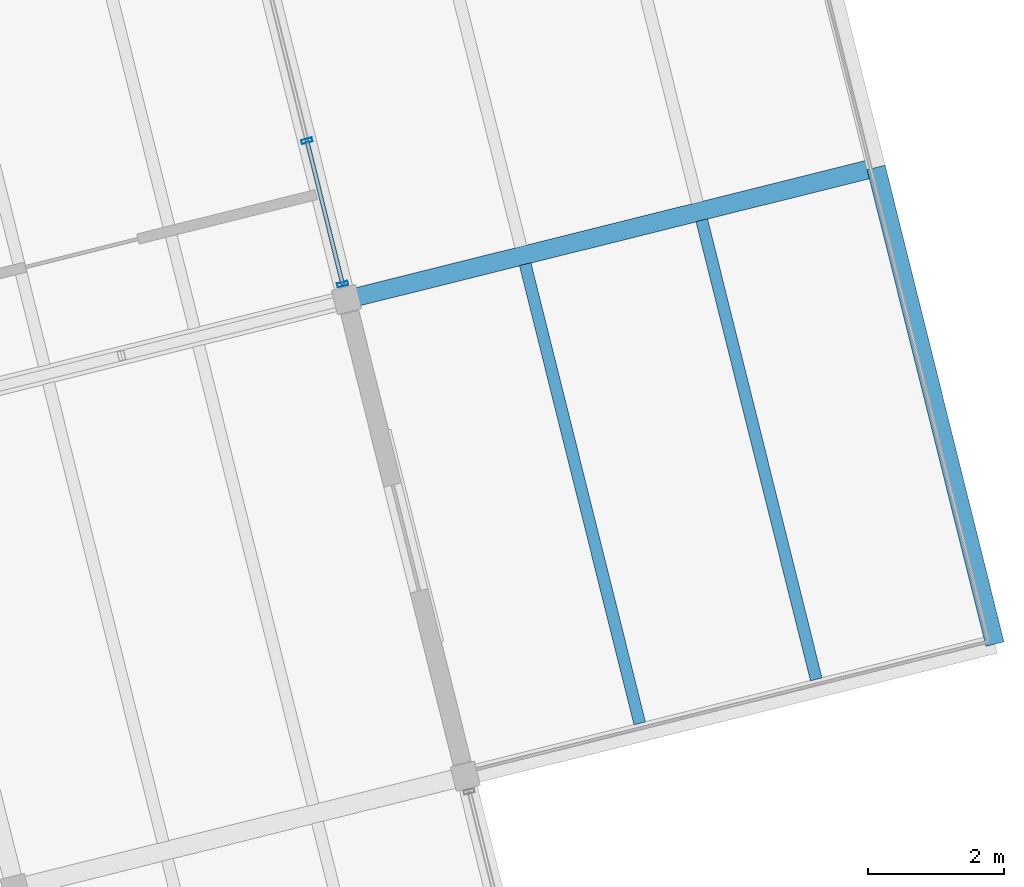
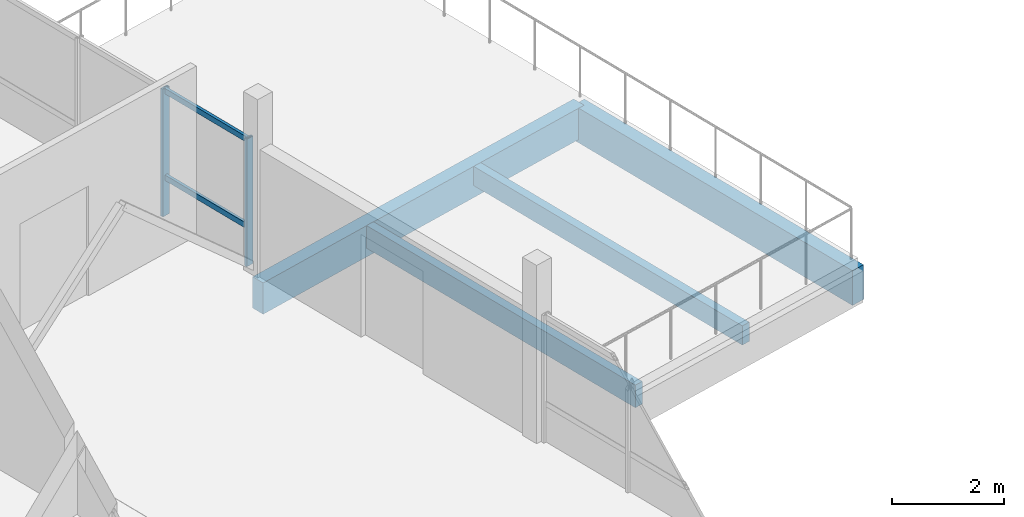
# One storey, part 18 of 28: 4 beams, 4 members, 1 element without a shape of its own.
"""IFC4 building model written with IfcOpenShell, lengths in metres."""

from ifc_helpers import new_model, si_unit, direction, frame, origin, origin_2d, place, context, subcontext, project, spatial, rectangle, hollow_rectangle, extrude, material, layer, layer_set, material_profile, profile_set, type_object, element, aggregate, save


model = new_model("IFC4")

# Units and contexts
model_context = context("Model", 3, precision=1e-05, world=origin(), true_north=direction((0.0, 1.0)))
body_context = subcontext(model_context, "Body", "Model", "MODEL_VIEW")
ifc_project = project(units=[si_unit("LENGTHUNIT", "METRE"), si_unit("AREAUNIT", "SQUARE_METRE"), si_unit("VOLUMEUNIT", "CUBIC_METRE"), si_unit("PLANEANGLEUNIT", "RADIAN"), si_unit("MASSUNIT", "GRAM", prefix="KILO")], contexts=[model_context])

# Site, building, storey
site_placement = place(None, origin())
site = spatial("IfcSite", under=ifc_project, at=site_placement, CompositionType="ELEMENT")
building_placement = place(site_placement, origin())
building = spatial("IfcBuilding", under=site, at=building_placement, Name="Meriwether Solvik Hall", CompositionType="ELEMENT")
storey_placement = place(building_placement, frame((0.0, 0.0, 45.60009765625)))
storey = spatial("IfcBuildingStorey", under=building, at=storey_placement, Name="L11", CompositionType="ELEMENT", Elevation=45.60009765625)

# Beams
ifc_material_1 = material(Name="Glulam Douglas-Fir 24F-V8 GL28h", Category="wood")
ifc_material_profile_1 = material_profile(ifc_material_1, rectangle(XDim=0.27294921875, YDim=0.68505859375, at=origin_2d()), Name="GLB-273X685")
ifc_profile_set_1 = profile_set([ifc_material_profile_1], Name="Glulam Douglas-Fir 24F-V8 GL28h")
beam_type_1 = type_object("IfcBeamType", Name="BM-GL-273X685", PredefinedType="BEAM", material=ifc_profile_set_1)
beam_1_placement = place(storey_placement, frame((98.4501953125, 70.285400390625, -0.5625), z_axis=(0.970298475929, 0.241910867076, 0.0), x_axis=(-0.241910867076, 0.970298475929, 0.0)))
element("IfcBeam", 1, at=beam_1_placement, inside=storey, type_object=beam_type_1, Name="Tower Girder TD:T6-T7 (L11)", PredefinedType="BEAM", context=body_context, shape_type="SweptSolid", body=[
    extrude(rectangle(XDim=0.27294921875, YDim=0.68505859375, at=origin_2d()), origin(), (0.0, 0.0, 1.0), 8.0),
])
ifc_material_2 = material(Name="Glulam Douglas-Fir 24F-V8 GL28h", Category="wood")
ifc_material_profile_2 = material_profile(ifc_material_2, rectangle(XDim=0.27294921875, YDim=0.760009765625, at=origin_2d()), Name="GLB-273X760")
ifc_profile_set_2 = profile_set([ifc_material_profile_2], Name="Glulam Douglas-Fir 24F-V8 GL28h")
beam_type_2 = type_object("IfcBeamType", Name="BM-GL-273X760", PredefinedType="BEAM", material=ifc_profile_set_2)
beam_2_placement = place(storey_placement, frame((107.95458984375, 65.234619140625, -0.60009765625), z_axis=(-0.241937193493, 0.970291911955, 0.0), x_axis=(-0.970291911955, -0.241937193493, 0.0)))
element("IfcBeam", 2, at=beam_2_placement, inside=storey, type_object=beam_type_2, Name="Tower Girder T7:TC-TD (L11)", PredefinedType="BEAM", context=body_context, shape_type="SweptSolid", body=[
    extrude(rectangle(XDim=0.27294921875, YDim=0.760009765625, at=origin_2d()), origin(), (0.0, 0.0, 1.0), 7.199951171875),
])

# Curtain wall, members
ifc_material_3 = material(Name="Thermally Broken Anodised Aluminium 6063-T6 and Low-E Glass", Category="aluminium")
ifc_layer = layer(ifc_material_3, 0.179931640625)
ifc_layer_set = layer_set([ifc_layer], Name="Thermally Broken Anodised Aluminium 6063-T6 and Low-E Glass")
curtain_wall_type = type_object("IfcCurtainWallType", Name="CW-UNIT-F", PredefinedType="USERDEFINED", material=ifc_layer_set)
curtain_wall_placement = place(storey_placement, origin())
curtain_wall = element("IfcCurtainWall", 3, at=curtain_wall_placement, inside=storey, type_object=curtain_wall_type, Name="Curtain Wall E1_B3 (L11)", ObjectType="UNITISED CURTAIN WALL", PredefinedType="USERDEFINED")
ifc_material_4 = material(Name="Anodised Aluminium 6063-T6", Category="aluminium")
ifc_material_profile_3 = material_profile(ifc_material_4, hollow_rectangle(XDim=0.06005859375, YDim=0.159912109375, WallThickness=0.00390625, at=origin_2d()), Name="CWM-60X160")
ifc_profile_set_3 = profile_set([ifc_material_profile_3], Name="Anodised Aluminium 6063-T6")
member_type_1 = type_object("IfcMemberType", Name="CW-MUL-60X160", PredefinedType="MULLION", material=ifc_profile_set_3)
member_1_placement = place(storey_placement, frame((97.8701171875, 72.6123046875, 0.0), z_axis=(0.0, 0.0, 1.0), x_axis=(0.241921946828, -0.970295713503, 0.0)))
member_1 = element("IfcMember", 4, at=member_1_placement, type_object=member_type_1, Name="Curtain Wall Mullion 3", PredefinedType="MULLION", context=body_context, shape_type="SweptSolid", body=[
    extrude(hollow_rectangle(XDim=0.06005859375, YDim=0.159912109375, WallThickness=0.00390625, at=origin_2d()), origin(), (0.0, 0.0, 1.0), 2.789794921875),
])
member_2_placement = place(storey_placement, frame((98.39404296875, 70.510986328125, 0.0), z_axis=(0.0, 0.0, 1.0), x_axis=(0.241921946828, -0.970295713503, 0.0)))
member_2 = element("IfcMember", 5, at=member_2_placement, type_object=member_type_1, Name="Curtain Wall Mullion 4", PredefinedType="MULLION", context=body_context, shape_type="SweptSolid", body=[
    extrude(hollow_rectangle(XDim=0.06005859375, YDim=0.159912109375, WallThickness=0.00390625, at=origin_2d()), origin(), (0.0, 0.0, 1.0), 2.789794921875),
])
ifc_material_5 = material(Name="Anodised Aluminium 6063-T6", Category="aluminium")
ifc_material_profile_4 = material_profile(ifc_material_5, hollow_rectangle(XDim=0.06005859375, YDim=0.1201171875, WallThickness=0.00390625, at=origin_2d()), Name="CWT-60X120")
ifc_profile_set_4 = profile_set([ifc_material_profile_4], Name="Anodised Aluminium 6063-T6")
member_type_2 = type_object("IfcMemberType", Name="CW-TRN-60X120", PredefinedType="USERDEFINED", material=ifc_profile_set_4)
member_3_placement = place(storey_placement, frame((97.8701171875, 72.6123046875, 0.8369140625), z_axis=(0.241925491414, -0.970294829732, 0.0), x_axis=(0.970294829732, 0.241925491414, 0.0)))
member_3 = element("IfcMember", 6, at=member_3_placement, type_object=member_type_2, Name="Curtain Wall Transom 3-sill", ObjectType="TRANSOM", PredefinedType="USERDEFINED", context=body_context, shape_type="SweptSolid", body=[
    extrude(hollow_rectangle(XDim=0.06005859375, YDim=0.1201171875, WallThickness=0.00390625, at=origin_2d()), origin(), (0.0, 0.0, 1.0), 2.16552734375),
])
member_4_placement = place(storey_placement, frame((97.8701171875, 72.6123046875, 2.72998046875), z_axis=(0.241925491414, -0.970294829732, 0.0), x_axis=(0.970294829732, 0.241925491414, 0.0)))
member_4 = element("IfcMember", 7, at=member_4_placement, type_object=member_type_2, Name="Curtain Wall Transom 3-head", ObjectType="TRANSOM", PredefinedType="USERDEFINED", context=body_context, shape_type="SweptSolid", body=[
    extrude(hollow_rectangle(XDim=0.06005859375, YDim=0.1201171875, WallThickness=0.00390625, at=origin_2d()), origin(), (0.0, 0.0, 1.0), 2.16552734375),
])
aggregate(curtain_wall, [member_1, member_2, member_3, member_4])

# Beams
ifc_material_6 = material(Name="Glulam Douglas-Fir 24F-V8 GL28h", Category="wood")
ifc_material_profile_5 = material_profile(ifc_material_6, rectangle(XDim=0.175048828125, YDim=0.419921875, at=origin_2d()), Name="GLJ-175X420")
ifc_profile_set_5 = profile_set([ifc_material_profile_5], Name="Glulam Douglas-Fir 24F-V8 GL28h")
beam_type_3 = type_object("IfcBeamType", Name="JST-GL-175X420", PredefinedType="JOIST", material=ifc_profile_set_5)
beam_3_placement = place(storey_placement, frame((105.335205078125, 64.717041015625, -0.43017578125), z_axis=(-0.241922788949, 0.970295503539, 0.0), x_axis=(-0.970295503539, -0.241922788949, 0.0)))
element("IfcBeam", 8, at=beam_3_placement, inside=storey, type_object=beam_type_3, Name="Glulam Floor Joist T6/TC-J2 (L11)", PredefinedType="JOIST", context=body_context, shape_type="SweptSolid", body=[
    extrude(rectangle(XDim=0.175048828125, YDim=0.419921875, at=origin_2d()), origin(), (0.0, 0.0, 1.0), 6.93701171875),
])
ifc_material_7 = material(Name="Glulam Douglas-Fir 24F-V8 GL28h", Category="wood")
ifc_material_profile_6 = material_profile(ifc_material_7, rectangle(XDim=0.175048828125, YDim=0.4951171875, at=origin_2d()), Name="GLJ-175X495")
ifc_profile_set_6 = profile_set([ifc_material_profile_6], Name="Glulam Douglas-Fir 24F-V8 GL28h")
beam_type_4 = type_object("IfcBeamType", Name="JST-GL-175X495", PredefinedType="JOIST", material=ifc_profile_set_6)
beam_4_placement = place(storey_placement, frame((102.747802734375, 64.072021484375, -0.467529296875), z_axis=(-0.241922788949, 0.970295503539, 0.0), x_axis=(-0.970295503539, -0.241922788949, 0.0)))
element("IfcBeam", 9, at=beam_4_placement, inside=storey, type_object=beam_type_4, Name="Glulam Floor Joist T6/TC-J1 (L11)", PredefinedType="JOIST", context=body_context, shape_type="SweptSolid", body=[
    extrude(rectangle(XDim=0.175048828125, YDim=0.4951171875, at=origin_2d()), origin(), (0.0, 0.0, 1.0), 6.93701171875),
])

save(model, "model.ifc")
